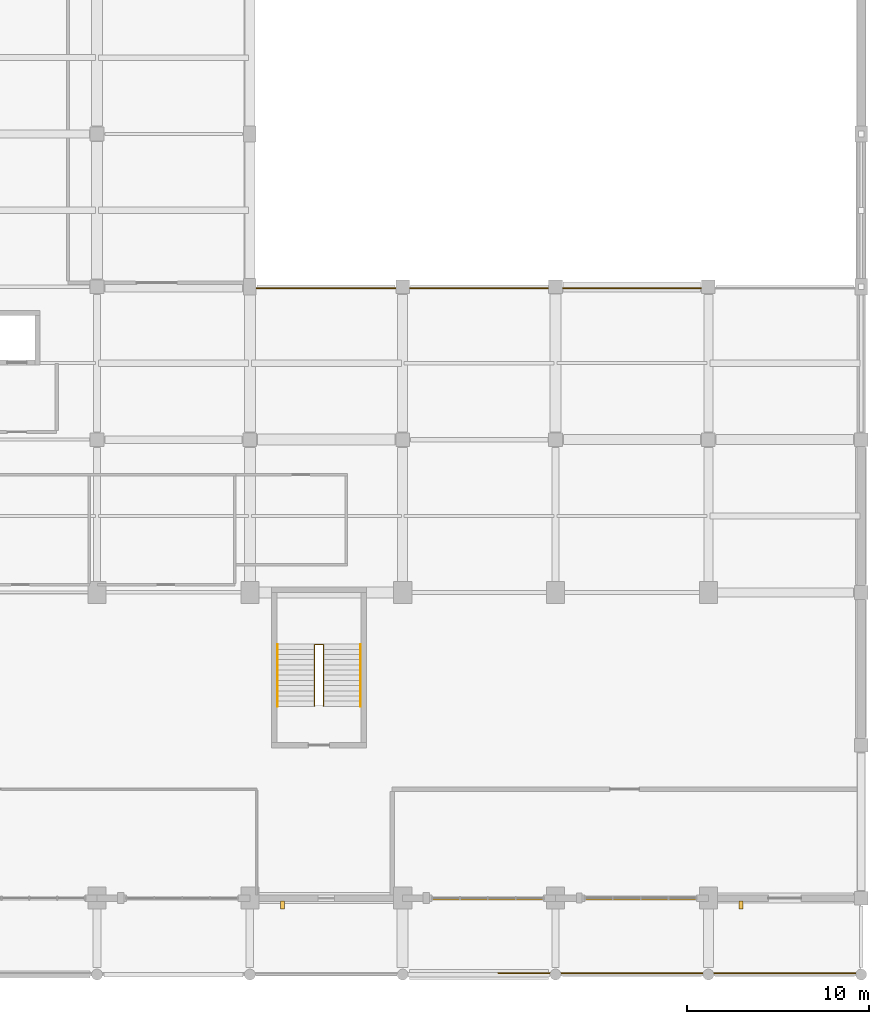
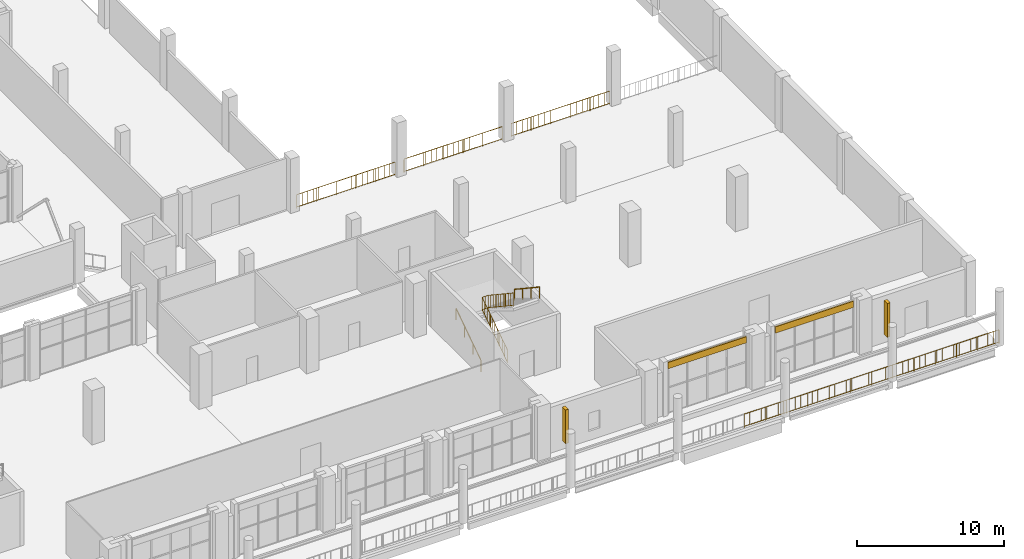
# One storey, part 74 of 75: 7 railings, 2 coverings, 2 shading devices.
"""IFC4 building model written with IfcOpenShell, lengths in metres."""

from ifc_helpers import new_model, si_unit, derived_unit, direction, frame, origin, origin_2d, place, context, subcontext, project, spatial, rectangle, circle, extrude, material, layer, layer_set, type_object, element, save


model = new_model("IFC4")

# Units and contexts
model_context = context("Model", 3, precision=1e-05, world=origin(), true_north=direction((0.0, 1.0)))
body_context = subcontext(model_context, "Body", "Model", "MODEL_VIEW")
ifc_project = project(units=[si_unit("LENGTHUNIT", "METRE"), si_unit("AREAUNIT", "SQUARE_METRE"), si_unit("VOLUMEUNIT", "CUBIC_METRE"), si_unit("PLANEANGLEUNIT", "RADIAN"), si_unit("MASSUNIT", "GRAM", prefix="KILO"), derived_unit("THERMALTRANSMITTANCEUNIT", [(si_unit("POWERUNIT", "WATT"), 1), (si_unit("LENGTHUNIT", "METRE"), -2), (si_unit("THERMODYNAMICTEMPERATUREUNIT", "KELVIN"), -1)])], contexts=[model_context])

# Site, building, storey
site_placement = place(None, origin())
site = spatial("IfcSite", under=ifc_project, at=site_placement, CompositionType="ELEMENT")
building_placement = place(site_placement, origin())
building = spatial("IfcBuilding", under=site, at=building_placement, Name="Barrovel Congress Hotel", CompositionType="ELEMENT")
storey_placement = place(building_placement, frame((0.0, 0.0, 5.39990234375)))
storey = spatial("IfcBuildingStorey", under=building, at=storey_placement, Name="L01", CompositionType="ELEMENT", Elevation=5.39990234375)

# Coverings
ifc_material_1 = material(Name="Glazed Terracotta Spandrel", Category="masonry")
ifc_layer_1 = layer(ifc_material_1, 0.1201171875)
ifc_layer_set_1 = layer_set([ifc_layer_1], Name="Glazed Terracotta Spandrel")
covering_type = type_object("IfcCoveringType", Name="COV-CLAD-TERRA", PredefinedType="CLADDING", material=ifc_layer_set_1)
for number, where, z_axis, x_axis, name in (
    (1, (155.8798828125, 4.14990234375, 3.710205078125), (0.0, 0.0, 1.0), (1.0, 0.0, 0.0), "CLAD:L01:S:18"),
    (2, (164.280029296875, 4.14990234375, 3.710205078125), (0.0, 0.0, 1.0), (1.0, 0.0, 0.0), "CLAD:L01:S:19"),
):
    element("IfcCovering", number, at=place(storey_placement, frame(where, z_axis=z_axis, x_axis=x_axis)), inside=storey, type_object=covering_type, Name=name, PredefinedType="CLADDING", context=body_context, shape_type="SweptSolid", body=[
        extrude(rectangle(XDim=6.1201171875, YDim=0.1201171875, at=origin_2d()), origin(), (0.0, 0.0, 1.0), 0.52001953125),
    ])

# Railings
ifc_material_2 = material(Name="Painted Architectural Steel", Category="steel")
ifc_layer_2 = layer(ifc_material_2, 0.080078125)
ifc_layer_set_2 = layer_set([ifc_layer_2], Name="Painted Architectural Steel")
railing_type_1 = type_object("IfcRailingType", Name="RAIL-GUARD-EXT", PredefinedType="BALUSTRADE", material=ifc_layer_set_2)
railing_1_placement = place(storey_placement, frame((156.449951171875, 0.080078125, 0.0)))
element("IfcRailing", 3, at=railing_1_placement, inside=storey, type_object=railing_type_1, Name="Arcade Promenade Guardrail 8", PredefinedType="BALUSTRADE", context=body_context, shape_type="SweptSolid", body=[
    extrude(circle(Radius=0.02392578125, at=origin_2d()), frame((0.0, 0.0, 1.11572265625), z_axis=(1.0, 0.0, 0.0), x_axis=(0.0, 1.0, 0.0)), (0.0, 0.0, 1.0), 19.949951171875),
    extrude(circle(Radius=0.02392578125, at=origin_2d()), frame((0.0, 0.0, 0.10009765625), z_axis=(1.0, 0.0, 0.0), x_axis=(0.0, 1.0, 0.0)), (0.0, 0.0, 1.0), 19.949951171875),
    extrude(circle(Radius=0.010009765625, at=origin_2d()), frame((0.443359375, 0.0, 0.10009765625)), (0.0, 0.0, 1.0), 0.99169921875),
    extrude(circle(Radius=0.010009765625, at=origin_2d()), frame((0.88671875, 0.0, 0.10009765625)), (0.0, 0.0, 1.0), 0.99169921875),
    extrude(circle(Radius=0.010009765625, at=origin_2d()), frame((1.330078125, 0.0, 0.10009765625)), (0.0, 0.0, 1.0), 0.99169921875),
    extrude(circle(Radius=0.010009765625, at=origin_2d()), frame((1.7734375, 0.0, 0.10009765625)), (0.0, 0.0, 1.0), 0.99169921875),
    extrude(circle(Radius=0.010009765625, at=origin_2d()), frame((2.216552734375, 0.0, 0.10009765625)), (0.0, 0.0, 1.0), 0.99169921875),
    extrude(circle(Radius=0.010009765625, at=origin_2d()), frame((2.659912109375, 0.0, 0.10009765625)), (0.0, 0.0, 1.0), 0.99169921875),
    extrude(circle(Radius=0.010009765625, at=origin_2d()), frame((3.103271484375, 0.0, 0.10009765625)), (0.0, 0.0, 1.0), 0.99169921875),
    extrude(circle(Radius=0.010009765625, at=origin_2d()), frame((3.546630859375, 0.0, 0.10009765625)), (0.0, 0.0, 1.0), 0.99169921875),
    extrude(circle(Radius=0.010009765625, at=origin_2d()), frame((3.989990234375, 0.0, 0.10009765625)), (0.0, 0.0, 1.0), 0.99169921875),
    extrude(circle(Radius=0.010009765625, at=origin_2d()), frame((4.433349609375, 0.0, 0.10009765625)), (0.0, 0.0, 1.0), 0.99169921875),
    extrude(circle(Radius=0.010009765625, at=origin_2d()), frame((4.876708984375, 0.0, 0.10009765625)), (0.0, 0.0, 1.0), 0.99169921875),
    extrude(circle(Radius=0.010009765625, at=origin_2d()), frame((5.320068359375, 0.0, 0.10009765625)), (0.0, 0.0, 1.0), 0.99169921875),
    extrude(circle(Radius=0.010009765625, at=origin_2d()), frame((5.763427734375, 0.0, 0.10009765625)), (0.0, 0.0, 1.0), 0.99169921875),
    extrude(circle(Radius=0.010009765625, at=origin_2d()), frame((6.20654296875, 0.0, 0.10009765625)), (0.0, 0.0, 1.0), 0.99169921875),
    extrude(circle(Radius=0.010009765625, at=origin_2d()), frame((6.64990234375, 0.0, 0.10009765625)), (0.0, 0.0, 1.0), 0.99169921875),
    extrude(circle(Radius=0.010009765625, at=origin_2d()), frame((7.09326171875, 0.0, 0.10009765625)), (0.0, 0.0, 1.0), 0.99169921875),
    extrude(circle(Radius=0.010009765625, at=origin_2d()), frame((7.53662109375, 0.0, 0.10009765625)), (0.0, 0.0, 1.0), 0.99169921875),
    extrude(circle(Radius=0.010009765625, at=origin_2d()), frame((7.97998046875, 0.0, 0.10009765625)), (0.0, 0.0, 1.0), 0.99169921875),
    extrude(circle(Radius=0.010009765625, at=origin_2d()), frame((8.42333984375, 0.0, 0.10009765625)), (0.0, 0.0, 1.0), 0.99169921875),
    extrude(circle(Radius=0.010009765625, at=origin_2d()), frame((8.86669921875, 0.0, 0.10009765625)), (0.0, 0.0, 1.0), 0.99169921875),
    extrude(circle(Radius=0.010009765625, at=origin_2d()), frame((9.31005859375, 0.0, 0.10009765625)), (0.0, 0.0, 1.0), 0.99169921875),
    extrude(circle(Radius=0.010009765625, at=origin_2d()), frame((9.75341796875, 0.0, 0.10009765625)), (0.0, 0.0, 1.0), 0.99169921875),
    extrude(circle(Radius=0.010009765625, at=origin_2d()), frame((10.196533203125, 0.0, 0.10009765625)), (0.0, 0.0, 1.0), 0.99169921875),
    extrude(circle(Radius=0.010009765625, at=origin_2d()), frame((10.639892578125, 0.0, 0.10009765625)), (0.0, 0.0, 1.0), 0.99169921875),
    extrude(circle(Radius=0.010009765625, at=origin_2d()), frame((11.083251953125, 0.0, 0.10009765625)), (0.0, 0.0, 1.0), 0.99169921875),
    extrude(circle(Radius=0.010009765625, at=origin_2d()), frame((11.526611328125, 0.0, 0.10009765625)), (0.0, 0.0, 1.0), 0.99169921875),
    extrude(circle(Radius=0.010009765625, at=origin_2d()), frame((11.969970703125, 0.0, 0.10009765625)), (0.0, 0.0, 1.0), 0.99169921875),
    extrude(circle(Radius=0.010009765625, at=origin_2d()), frame((12.413330078125, 0.0, 0.10009765625)), (0.0, 0.0, 1.0), 0.99169921875),
    extrude(circle(Radius=0.010009765625, at=origin_2d()), frame((12.856689453125, 0.0, 0.10009765625)), (0.0, 0.0, 1.0), 0.99169921875),
    extrude(circle(Radius=0.010009765625, at=origin_2d()), frame((13.300048828125, 0.0, 0.10009765625)), (0.0, 0.0, 1.0), 0.99169921875),
    extrude(circle(Radius=0.010009765625, at=origin_2d()), frame((13.743408203125, 0.0, 0.10009765625)), (0.0, 0.0, 1.0), 0.99169921875),
    extrude(circle(Radius=0.010009765625, at=origin_2d()), frame((14.1865234375, 0.0, 0.10009765625)), (0.0, 0.0, 1.0), 0.99169921875),
    extrude(circle(Radius=0.010009765625, at=origin_2d()), frame((14.6298828125, 0.0, 0.10009765625)), (0.0, 0.0, 1.0), 0.99169921875),
    extrude(circle(Radius=0.010009765625, at=origin_2d()), frame((15.0732421875, 0.0, 0.10009765625)), (0.0, 0.0, 1.0), 0.99169921875),
    extrude(circle(Radius=0.010009765625, at=origin_2d()), frame((15.5166015625, 0.0, 0.10009765625)), (0.0, 0.0, 1.0), 0.99169921875),
    extrude(circle(Radius=0.010009765625, at=origin_2d()), frame((15.9599609375, 0.0, 0.10009765625)), (0.0, 0.0, 1.0), 0.99169921875),
    extrude(circle(Radius=0.010009765625, at=origin_2d()), frame((16.4033203125, 0.0, 0.10009765625)), (0.0, 0.0, 1.0), 0.99169921875),
    extrude(circle(Radius=0.010009765625, at=origin_2d()), frame((16.8466796875, 0.0, 0.10009765625)), (0.0, 0.0, 1.0), 0.99169921875),
    extrude(circle(Radius=0.010009765625, at=origin_2d()), frame((17.2900390625, 0.0, 0.10009765625)), (0.0, 0.0, 1.0), 0.99169921875),
    extrude(circle(Radius=0.010009765625, at=origin_2d()), frame((17.7333984375, 0.0, 0.10009765625)), (0.0, 0.0, 1.0), 0.99169921875),
    extrude(circle(Radius=0.010009765625, at=origin_2d()), frame((18.176513671875, 0.0, 0.10009765625)), (0.0, 0.0, 1.0), 0.99169921875),
    extrude(circle(Radius=0.010009765625, at=origin_2d()), frame((18.619873046875, 0.0, 0.10009765625)), (0.0, 0.0, 1.0), 0.99169921875),
    extrude(circle(Radius=0.010009765625, at=origin_2d()), frame((19.063232421875, 0.0, 0.10009765625)), (0.0, 0.0, 1.0), 0.99169921875),
    extrude(circle(Radius=0.010009765625, at=origin_2d()), frame((19.506591796875, 0.0, 0.10009765625)), (0.0, 0.0, 1.0), 0.99169921875),
    extrude(circle(Radius=0.02099609375, at=origin_2d()), origin(), (0.0, 0.0, 1.0), 1.091796875),
    extrude(circle(Radius=0.02099609375, at=origin_2d()), frame((1.66259765625, 0.0, 0.0)), (0.0, 0.0, 1.0), 1.091796875),
    extrude(circle(Radius=0.02099609375, at=origin_2d()), frame((3.324951171875, 0.0, 0.0)), (0.0, 0.0, 1.0), 1.091796875),
    extrude(circle(Radius=0.02099609375, at=origin_2d()), frame((4.987548828125, 0.0, 0.0)), (0.0, 0.0, 1.0), 1.091796875),
    extrude(circle(Radius=0.02099609375, at=origin_2d()), frame((6.64990234375, 0.0, 0.0)), (0.0, 0.0, 1.0), 1.091796875),
    extrude(circle(Radius=0.02099609375, at=origin_2d()), frame((8.3125, 0.0, 0.0)), (0.0, 0.0, 1.0), 1.091796875),
    extrude(circle(Radius=0.02099609375, at=origin_2d()), frame((9.97509765625, 0.0, 0.0)), (0.0, 0.0, 1.0), 1.091796875),
    extrude(circle(Radius=0.02099609375, at=origin_2d()), frame((11.637451171875, 0.0, 0.0)), (0.0, 0.0, 1.0), 1.091796875),
    extrude(circle(Radius=0.02099609375, at=origin_2d()), frame((13.300048828125, 0.0, 0.0)), (0.0, 0.0, 1.0), 1.091796875),
    extrude(circle(Radius=0.02099609375, at=origin_2d()), frame((14.96240234375, 0.0, 0.0)), (0.0, 0.0, 1.0), 1.091796875),
    extrude(circle(Radius=0.02099609375, at=origin_2d()), frame((16.625, 0.0, 0.0)), (0.0, 0.0, 1.0), 1.091796875),
    extrude(circle(Radius=0.02099609375, at=origin_2d()), frame((18.287353515625, 0.0, 0.0)), (0.0, 0.0, 1.0), 1.091796875),
    extrude(circle(Radius=0.02099609375, at=origin_2d()), frame((19.949951171875, 0.0, 0.0)), (0.0, 0.0, 1.0), 1.091796875),
])
ifc_layer_3 = layer(ifc_material_2, 0.070068359375)
ifc_layer_set_3 = layer_set([ifc_layer_3], Name="Painted Architectural Steel")
railing_type_2 = type_object("IfcRailingType", Name="RAIL-GUARD-INT", PredefinedType="BALUSTRADE", material=ifc_layer_set_3)
railing_2_placement = place(storey_placement, frame((146.360107421875, 14.739990234375, 0.0)))
element("IfcRailing", 4, at=railing_2_placement, inside=storey, type_object=railing_type_2, Name="STAIR:XS-04:L01:GR-W", PredefinedType="BALUSTRADE", context=body_context, shape_type="SweptSolid", body=[
    extrude(circle(Radius=0.02392578125, at=origin_2d()), frame((0.0, 0.0, 1.11572265625), z_axis=(0.0, 0.833174834292, 0.553009670352), x_axis=(-1.0, 0.0, 0.0)), (0.0, 0.0, 1.0), 4.068603515625),
    extrude(circle(Radius=0.02392578125, at=origin_2d()), frame((0.0, 0.0, 0.10009765625), z_axis=(0.0, 0.833174834292, 0.553009670352), x_axis=(-1.0, 0.0, 0.0)), (0.0, 0.0, 1.0), 4.068603515625),
    extrude(circle(Radius=0.010009765625, at=origin_2d()), frame((0.0, 0.3388671875, 0.324951171875)), (0.0, 0.0, 1.0), 0.99169921875),
    extrude(circle(Radius=0.010009765625, at=origin_2d()), frame((0.0, 0.677978515625, 0.550048828125)), (0.0, 0.0, 1.0), 0.99169921875),
    extrude(circle(Radius=0.010009765625, at=origin_2d()), frame((0.0, 1.01708984375, 0.77490234375)), (0.0, 0.0, 1.0), 0.99169921875),
    extrude(circle(Radius=0.010009765625, at=origin_2d()), frame((0.0, 1.35595703125, 1.0)), (0.0, 0.0, 1.0), 0.99169921875),
    extrude(circle(Radius=0.010009765625, at=origin_2d()), frame((0.0, 1.69482421875, 1.22509765625)), (0.0, 0.0, 1.0), 0.99169921875),
    extrude(circle(Radius=0.010009765625, at=origin_2d()), frame((0.0, 2.033935546875, 1.449951171875)), (0.0, 0.0, 1.0), 0.99169921875),
    extrude(circle(Radius=0.010009765625, at=origin_2d()), frame((0.0, 2.373046875, 1.675048828125)), (0.0, 0.0, 1.0), 0.99169921875),
    extrude(circle(Radius=0.010009765625, at=origin_2d()), frame((0.0, 2.7119140625, 1.89990234375)), (0.0, 0.0, 1.0), 0.99169921875),
    extrude(circle(Radius=0.010009765625, at=origin_2d()), frame((0.0, 3.05078125, 2.125)), (0.0, 0.0, 1.0), 0.99169921875),
    extrude(circle(Radius=0.02392578125, at=origin_2d()), frame((0.0, 3.389892578125, 3.36572265625), z_axis=(1.0, 0.0, 0.0), x_axis=(0.0, 1.0, 0.0)), (0.0, 0.0, 1.0), 0.47998046875),
    extrude(circle(Radius=0.02392578125, at=origin_2d()), frame((0.0, 3.389892578125, 2.35009765625), z_axis=(1.0, 0.0, 0.0), x_axis=(0.0, 1.0, 0.0)), (0.0, 0.0, 1.0), 0.47998046875),
    extrude(circle(Radius=0.010009765625, at=origin_2d()), frame((0.239990234375, 3.389892578125, 2.35009765625)), (0.0, 0.0, 1.0), 0.99169921875),
    extrude(circle(Radius=0.02392578125, at=origin_2d()), frame((0.47998046875, 3.389892578125, 3.36572265625), z_axis=(0.0, -0.833174834292, 0.553009670352), x_axis=(1.0, 0.0, 0.0)), (0.0, 0.0, 1.0), 4.068603515625),
    extrude(circle(Radius=0.02392578125, at=origin_2d()), frame((0.47998046875, 3.389892578125, 2.35009765625), z_axis=(0.0, -0.833174834292, 0.553009670352), x_axis=(1.0, 0.0, 0.0)), (0.0, 0.0, 1.0), 4.068603515625),
    extrude(circle(Radius=0.010009765625, at=origin_2d()), frame((0.47998046875, 3.05078125, 2.574951171875)), (0.0, 0.0, 1.0), 0.99169921875),
    extrude(circle(Radius=0.010009765625, at=origin_2d()), frame((0.47998046875, 2.7119140625, 2.800048828125)), (0.0, 0.0, 1.0), 0.99169921875),
    extrude(circle(Radius=0.010009765625, at=origin_2d()), frame((0.47998046875, 2.373046875, 3.02490234375)), (0.0, 0.0, 1.0), 0.99169921875),
    extrude(circle(Radius=0.010009765625, at=origin_2d()), frame((0.47998046875, 2.033935546875, 3.25)), (0.0, 0.0, 1.0), 0.99169921875),
    extrude(circle(Radius=0.010009765625, at=origin_2d()), frame((0.47998046875, 1.69482421875, 3.47509765625)), (0.0, 0.0, 1.0), 0.99169921875),
    extrude(circle(Radius=0.010009765625, at=origin_2d()), frame((0.47998046875, 1.35595703125, 3.699951171875)), (0.0, 0.0, 1.0), 0.99169921875),
    extrude(circle(Radius=0.010009765625, at=origin_2d()), frame((0.47998046875, 1.01708984375, 3.925048828125)), (0.0, 0.0, 1.0), 0.99169921875),
    extrude(circle(Radius=0.010009765625, at=origin_2d()), frame((0.47998046875, 0.677978515625, 4.14990234375)), (0.0, 0.0, 1.0), 0.99169921875),
    extrude(circle(Radius=0.010009765625, at=origin_2d()), frame((0.47998046875, 0.3388671875, 4.375)), (0.0, 0.0, 1.0), 0.99169921875),
    extrude(circle(Radius=0.02099609375, at=origin_2d()), origin(), (0.0, 0.0, 1.0), 1.091796875),
    extrude(circle(Radius=0.02099609375, at=origin_2d()), frame((0.0, 1.1298828125, 0.75)), (0.0, 0.0, 1.0), 1.091796875),
    extrude(circle(Radius=0.02099609375, at=origin_2d()), frame((0.0, 2.260009765625, 1.5)), (0.0, 0.0, 1.0), 1.091796875),
    extrude(circle(Radius=0.02099609375, at=origin_2d()), frame((0.0, 3.389892578125, 2.25)), (0.0, 0.0, 1.0), 1.091796875),
    extrude(circle(Radius=0.02099609375, at=origin_2d()), frame((0.47998046875, 3.389892578125, 2.25)), (0.0, 0.0, 1.0), 1.091796875),
    extrude(circle(Radius=0.02099609375, at=origin_2d()), frame((0.47998046875, 2.260009765625, 3.0)), (0.0, 0.0, 1.0), 1.091796875),
    extrude(circle(Radius=0.02099609375, at=origin_2d()), frame((0.47998046875, 1.1298828125, 3.75)), (0.0, 0.0, 1.0), 1.091796875),
    extrude(circle(Radius=0.02099609375, at=origin_2d()), frame((0.47998046875, 0.0, 4.5)), (0.0, 0.0, 1.0), 1.091796875),
])
railing_3_placement = place(storey_placement, frame((143.14990234375, 37.719970703125, 0.0)))
element("IfcRailing", 5, at=railing_3_placement, inside=storey, type_object=railing_type_2, Name="RAIL:L01:V45-1", PredefinedType="BALUSTRADE", context=body_context, shape_type="SweptSolid", body=[
    extrude(circle(Radius=0.02392578125, at=origin_2d()), frame((0.0, 0.0, 1.11572265625), z_axis=(1.0, 0.0, 0.0), x_axis=(0.0, 1.0, 0.0)), (0.0, 0.0, 1.0), 7.7001953125),
    extrude(circle(Radius=0.02392578125, at=origin_2d()), frame((0.0, 0.0, 0.10009765625), z_axis=(1.0, 0.0, 0.0), x_axis=(0.0, 1.0, 0.0)), (0.0, 0.0, 1.0), 7.7001953125),
    extrude(circle(Radius=0.010009765625, at=origin_2d()), frame((0.427734375, 0.0, 0.10009765625)), (0.0, 0.0, 1.0), 0.99169921875),
    extrude(circle(Radius=0.010009765625, at=origin_2d()), frame((0.85546875, 0.0, 0.10009765625)), (0.0, 0.0, 1.0), 0.99169921875),
    extrude(circle(Radius=0.010009765625, at=origin_2d()), frame((1.283447265625, 0.0, 0.10009765625)), (0.0, 0.0, 1.0), 0.99169921875),
    extrude(circle(Radius=0.010009765625, at=origin_2d()), frame((1.711181640625, 0.0, 0.10009765625)), (0.0, 0.0, 1.0), 0.99169921875),
    extrude(circle(Radius=0.010009765625, at=origin_2d()), frame((2.138916015625, 0.0, 0.10009765625)), (0.0, 0.0, 1.0), 0.99169921875),
    extrude(circle(Radius=0.010009765625, at=origin_2d()), frame((2.566650390625, 0.0, 0.10009765625)), (0.0, 0.0, 1.0), 0.99169921875),
    extrude(circle(Radius=0.010009765625, at=origin_2d()), frame((2.99462890625, 0.0, 0.10009765625)), (0.0, 0.0, 1.0), 0.99169921875),
    extrude(circle(Radius=0.010009765625, at=origin_2d()), frame((3.42236328125, 0.0, 0.10009765625)), (0.0, 0.0, 1.0), 0.99169921875),
    extrude(circle(Radius=0.010009765625, at=origin_2d()), frame((3.85009765625, 0.0, 0.10009765625)), (0.0, 0.0, 1.0), 0.99169921875),
    extrude(circle(Radius=0.010009765625, at=origin_2d()), frame((4.27783203125, 0.0, 0.10009765625)), (0.0, 0.0, 1.0), 0.99169921875),
    extrude(circle(Radius=0.010009765625, at=origin_2d()), frame((4.70556640625, 0.0, 0.10009765625)), (0.0, 0.0, 1.0), 0.99169921875),
    extrude(circle(Radius=0.010009765625, at=origin_2d()), frame((5.133544921875, 0.0, 0.10009765625)), (0.0, 0.0, 1.0), 0.99169921875),
    extrude(circle(Radius=0.010009765625, at=origin_2d()), frame((5.561279296875, 0.0, 0.10009765625)), (0.0, 0.0, 1.0), 0.99169921875),
    extrude(circle(Radius=0.010009765625, at=origin_2d()), frame((5.989013671875, 0.0, 0.10009765625)), (0.0, 0.0, 1.0), 0.99169921875),
    extrude(circle(Radius=0.010009765625, at=origin_2d()), frame((6.416748046875, 0.0, 0.10009765625)), (0.0, 0.0, 1.0), 0.99169921875),
    extrude(circle(Radius=0.010009765625, at=origin_2d()), frame((6.8447265625, 0.0, 0.10009765625)), (0.0, 0.0, 1.0), 0.99169921875),
    extrude(circle(Radius=0.010009765625, at=origin_2d()), frame((7.2724609375, 0.0, 0.10009765625)), (0.0, 0.0, 1.0), 0.99169921875),
    extrude(circle(Radius=0.02099609375, at=origin_2d()), origin(), (0.0, 0.0, 1.0), 1.091796875),
    extrude(circle(Radius=0.02099609375, at=origin_2d()), frame((1.5400390625, 0.0, 0.0)), (0.0, 0.0, 1.0), 1.091796875),
    extrude(circle(Radius=0.02099609375, at=origin_2d()), frame((3.080078125, 0.0, 0.0)), (0.0, 0.0, 1.0), 1.091796875),
    extrude(circle(Radius=0.02099609375, at=origin_2d()), frame((4.6201171875, 0.0, 0.0)), (0.0, 0.0, 1.0), 1.091796875),
    extrude(circle(Radius=0.02099609375, at=origin_2d()), frame((6.16015625, 0.0, 0.0)), (0.0, 0.0, 1.0), 1.091796875),
    extrude(circle(Radius=0.02099609375, at=origin_2d()), frame((7.7001953125, 0.0, 0.0)), (0.0, 0.0, 1.0), 1.091796875),
])
railing_4_placement = place(storey_placement, frame((151.550048828125, 37.719970703125, 0.0)))
element("IfcRailing", 6, at=railing_4_placement, inside=storey, type_object=railing_type_2, Name="RAIL:L01:V45-2", PredefinedType="BALUSTRADE", context=body_context, shape_type="SweptSolid", body=[
    extrude(circle(Radius=0.02392578125, at=origin_2d()), frame((0.0, 0.0, 1.11572265625), z_axis=(1.0, 0.0, 0.0), x_axis=(0.0, 1.0, 0.0)), (0.0, 0.0, 1.0), 7.699951171875),
    extrude(circle(Radius=0.02392578125, at=origin_2d()), frame((0.0, 0.0, 0.10009765625), z_axis=(1.0, 0.0, 0.0), x_axis=(0.0, 1.0, 0.0)), (0.0, 0.0, 1.0), 7.699951171875),
    extrude(circle(Radius=0.010009765625, at=origin_2d()), frame((0.427734375, 0.0, 0.10009765625)), (0.0, 0.0, 1.0), 0.99169921875),
    extrude(circle(Radius=0.010009765625, at=origin_2d()), frame((0.85546875, 0.0, 0.10009765625)), (0.0, 0.0, 1.0), 0.99169921875),
    extrude(circle(Radius=0.010009765625, at=origin_2d()), frame((1.283203125, 0.0, 0.10009765625)), (0.0, 0.0, 1.0), 0.99169921875),
    extrude(circle(Radius=0.010009765625, at=origin_2d()), frame((1.711181640625, 0.0, 0.10009765625)), (0.0, 0.0, 1.0), 0.99169921875),
    extrude(circle(Radius=0.010009765625, at=origin_2d()), frame((2.138916015625, 0.0, 0.10009765625)), (0.0, 0.0, 1.0), 0.99169921875),
    extrude(circle(Radius=0.010009765625, at=origin_2d()), frame((2.566650390625, 0.0, 0.10009765625)), (0.0, 0.0, 1.0), 0.99169921875),
    extrude(circle(Radius=0.010009765625, at=origin_2d()), frame((2.994384765625, 0.0, 0.10009765625)), (0.0, 0.0, 1.0), 0.99169921875),
    extrude(circle(Radius=0.010009765625, at=origin_2d()), frame((3.422119140625, 0.0, 0.10009765625)), (0.0, 0.0, 1.0), 0.99169921875),
    extrude(circle(Radius=0.010009765625, at=origin_2d()), frame((3.85009765625, 0.0, 0.10009765625)), (0.0, 0.0, 1.0), 0.99169921875),
    extrude(circle(Radius=0.010009765625, at=origin_2d()), frame((4.27783203125, 0.0, 0.10009765625)), (0.0, 0.0, 1.0), 0.99169921875),
    extrude(circle(Radius=0.010009765625, at=origin_2d()), frame((4.70556640625, 0.0, 0.10009765625)), (0.0, 0.0, 1.0), 0.99169921875),
    extrude(circle(Radius=0.010009765625, at=origin_2d()), frame((5.13330078125, 0.0, 0.10009765625)), (0.0, 0.0, 1.0), 0.99169921875),
    extrude(circle(Radius=0.010009765625, at=origin_2d()), frame((5.56103515625, 0.0, 0.10009765625)), (0.0, 0.0, 1.0), 0.99169921875),
    extrude(circle(Radius=0.010009765625, at=origin_2d()), frame((5.98876953125, 0.0, 0.10009765625)), (0.0, 0.0, 1.0), 0.99169921875),
    extrude(circle(Radius=0.010009765625, at=origin_2d()), frame((6.41650390625, 0.0, 0.10009765625)), (0.0, 0.0, 1.0), 0.99169921875),
    extrude(circle(Radius=0.010009765625, at=origin_2d()), frame((6.844482421875, 0.0, 0.10009765625)), (0.0, 0.0, 1.0), 0.99169921875),
    extrude(circle(Radius=0.010009765625, at=origin_2d()), frame((7.272216796875, 0.0, 0.10009765625)), (0.0, 0.0, 1.0), 0.99169921875),
    extrude(circle(Radius=0.02099609375, at=origin_2d()), origin(), (0.0, 0.0, 1.0), 1.091796875),
    extrude(circle(Radius=0.02099609375, at=origin_2d()), frame((1.5400390625, 0.0, 0.0)), (0.0, 0.0, 1.0), 1.091796875),
    extrude(circle(Radius=0.02099609375, at=origin_2d()), frame((3.080078125, 0.0, 0.0)), (0.0, 0.0, 1.0), 1.091796875),
    extrude(circle(Radius=0.02099609375, at=origin_2d()), frame((4.619873046875, 0.0, 0.0)), (0.0, 0.0, 1.0), 1.091796875),
    extrude(circle(Radius=0.02099609375, at=origin_2d()), frame((6.159912109375, 0.0, 0.0)), (0.0, 0.0, 1.0), 1.091796875),
    extrude(circle(Radius=0.02099609375, at=origin_2d()), frame((7.699951171875, 0.0, 0.0)), (0.0, 0.0, 1.0), 1.091796875),
])
railing_5_placement = place(storey_placement, frame((159.949951171875, 37.719970703125, 0.0)))
element("IfcRailing", 7, at=railing_5_placement, inside=storey, type_object=railing_type_2, Name="RAIL:L01:V45-3", PredefinedType="BALUSTRADE", context=body_context, shape_type="SweptSolid", body=[
    extrude(circle(Radius=0.02392578125, at=origin_2d()), frame((0.0, 0.0, 1.11572265625), z_axis=(1.0, 0.0, 0.0), x_axis=(0.0, 1.0, 0.0)), (0.0, 0.0, 1.0), 7.699951171875),
    extrude(circle(Radius=0.02392578125, at=origin_2d()), frame((0.0, 0.0, 0.10009765625), z_axis=(1.0, 0.0, 0.0), x_axis=(0.0, 1.0, 0.0)), (0.0, 0.0, 1.0), 7.699951171875),
    extrude(circle(Radius=0.010009765625, at=origin_2d()), frame((0.427734375, 0.0, 0.10009765625)), (0.0, 0.0, 1.0), 0.99169921875),
    extrude(circle(Radius=0.010009765625, at=origin_2d()), frame((0.85546875, 0.0, 0.10009765625)), (0.0, 0.0, 1.0), 0.99169921875),
    extrude(circle(Radius=0.010009765625, at=origin_2d()), frame((1.283203125, 0.0, 0.10009765625)), (0.0, 0.0, 1.0), 0.99169921875),
    extrude(circle(Radius=0.010009765625, at=origin_2d()), frame((1.711181640625, 0.0, 0.10009765625)), (0.0, 0.0, 1.0), 0.99169921875),
    extrude(circle(Radius=0.010009765625, at=origin_2d()), frame((2.138916015625, 0.0, 0.10009765625)), (0.0, 0.0, 1.0), 0.99169921875),
    extrude(circle(Radius=0.010009765625, at=origin_2d()), frame((2.566650390625, 0.0, 0.10009765625)), (0.0, 0.0, 1.0), 0.99169921875),
    extrude(circle(Radius=0.010009765625, at=origin_2d()), frame((2.994384765625, 0.0, 0.10009765625)), (0.0, 0.0, 1.0), 0.99169921875),
    extrude(circle(Radius=0.010009765625, at=origin_2d()), frame((3.422119140625, 0.0, 0.10009765625)), (0.0, 0.0, 1.0), 0.99169921875),
    extrude(circle(Radius=0.010009765625, at=origin_2d()), frame((3.85009765625, 0.0, 0.10009765625)), (0.0, 0.0, 1.0), 0.99169921875),
    extrude(circle(Radius=0.010009765625, at=origin_2d()), frame((4.27783203125, 0.0, 0.10009765625)), (0.0, 0.0, 1.0), 0.99169921875),
    extrude(circle(Radius=0.010009765625, at=origin_2d()), frame((4.70556640625, 0.0, 0.10009765625)), (0.0, 0.0, 1.0), 0.99169921875),
    extrude(circle(Radius=0.010009765625, at=origin_2d()), frame((5.13330078125, 0.0, 0.10009765625)), (0.0, 0.0, 1.0), 0.99169921875),
    extrude(circle(Radius=0.010009765625, at=origin_2d()), frame((5.56103515625, 0.0, 0.10009765625)), (0.0, 0.0, 1.0), 0.99169921875),
    extrude(circle(Radius=0.010009765625, at=origin_2d()), frame((5.98876953125, 0.0, 0.10009765625)), (0.0, 0.0, 1.0), 0.99169921875),
    extrude(circle(Radius=0.010009765625, at=origin_2d()), frame((6.41650390625, 0.0, 0.10009765625)), (0.0, 0.0, 1.0), 0.99169921875),
    extrude(circle(Radius=0.010009765625, at=origin_2d()), frame((6.844482421875, 0.0, 0.10009765625)), (0.0, 0.0, 1.0), 0.99169921875),
    extrude(circle(Radius=0.010009765625, at=origin_2d()), frame((7.272216796875, 0.0, 0.10009765625)), (0.0, 0.0, 1.0), 0.99169921875),
    extrude(circle(Radius=0.02099609375, at=origin_2d()), origin(), (0.0, 0.0, 1.0), 1.091796875),
    extrude(circle(Radius=0.02099609375, at=origin_2d()), frame((1.5400390625, 0.0, 0.0)), (0.0, 0.0, 1.0), 1.091796875),
    extrude(circle(Radius=0.02099609375, at=origin_2d()), frame((3.080078125, 0.0, 0.0)), (0.0, 0.0, 1.0), 1.091796875),
    extrude(circle(Radius=0.02099609375, at=origin_2d()), frame((4.619873046875, 0.0, 0.0)), (0.0, 0.0, 1.0), 1.091796875),
    extrude(circle(Radius=0.02099609375, at=origin_2d()), frame((6.159912109375, 0.0, 0.0)), (0.0, 0.0, 1.0), 1.091796875),
    extrude(circle(Radius=0.02099609375, at=origin_2d()), frame((7.699951171875, 0.0, 0.0)), (0.0, 0.0, 1.0), 1.091796875),
])
ifc_material_3 = material(Name="Brushed Stainless Steel", Category="steel")
ifc_layer_4 = layer(ifc_material_3, 0.050048828125)
ifc_layer_set_4 = layer_set([ifc_layer_4], Name="Brushed Stainless Steel")
railing_type_3 = type_object("IfcRailingType", Name="RAIL-HAND", PredefinedType="HANDRAIL", material=ifc_layer_set_4)
railing_6_placement = place(storey_placement, frame((144.320068359375, 14.739990234375, 0.0)))
element("IfcRailing", 8, at=railing_6_placement, inside=storey, type_object=railing_type_3, Name="STAIR:XS-04:L01:HR-1", PredefinedType="HANDRAIL", context=body_context, shape_type="SweptSolid", body=[
    extrude(circle(Radius=0.02392578125, at=origin_2d()), frame((0.0, 0.0, 0.89599609375), z_axis=(0.0, 0.833174834292, 0.553009670352), x_axis=(-1.0, 0.0, 0.0)), (0.0, 0.0, 1.0), 4.068603515625),
    extrude(circle(Radius=0.02099609375, at=origin_2d()), origin(), (0.0, 0.0, 1.0), 0.871826171875),
    extrude(circle(Radius=0.02099609375, at=origin_2d()), frame((0.0, 1.1298828125, 0.75)), (0.0, 0.0, 1.0), 0.871826171875),
    extrude(circle(Radius=0.02099609375, at=origin_2d()), frame((0.0, 2.260009765625, 1.5)), (0.0, 0.0, 1.0), 0.871826171875),
    extrude(circle(Radius=0.02099609375, at=origin_2d()), frame((0.0, 3.389892578125, 2.25)), (0.0, 0.0, 1.0), 0.871826171875),
])
railing_7_placement = place(storey_placement, frame((148.8798828125, 18.1298828125, 2.25)))
element("IfcRailing", 9, at=railing_7_placement, inside=storey, type_object=railing_type_3, Name="STAIR:XS-04:L01:HR-2", PredefinedType="HANDRAIL", context=body_context, shape_type="SweptSolid", body=[
    extrude(circle(Radius=0.02392578125, at=origin_2d()), frame((0.0, 0.0, 0.89599609375), z_axis=(0.0, -0.833174834292, 0.553009670352), x_axis=(1.0, 0.0, 0.0)), (0.0, 0.0, 1.0), 4.068603515625),
    extrude(circle(Radius=0.02099609375, at=origin_2d()), origin(), (0.0, 0.0, 1.0), 0.871826171875),
    extrude(circle(Radius=0.02099609375, at=origin_2d()), frame((0.0, -1.1298828125, 0.75)), (0.0, 0.0, 1.0), 0.871826171875),
    extrude(circle(Radius=0.02099609375, at=origin_2d()), frame((0.0, -2.260009765625, 1.5)), (0.0, 0.0, 1.0), 0.871826171875),
    extrude(circle(Radius=0.02099609375, at=origin_2d()), frame((0.0, -3.389892578125, 2.25)), (0.0, 0.0, 1.0), 0.871826171875),
])

# Shading devices
ifc_material_4 = material(Name="Fired Clay Brick Masonry", Category="masonry")
shading_device_type = type_object("IfcShadingDeviceType", Name="SHD-FIN", PredefinedType="USERDEFINED", material=ifc_material_4)
for number, where, z_axis, x_axis, name in (
    (10, (144.60009765625, 3.820068359375, 0.7001953125), (0.0, 0.0, 1.0), (1.0, 0.0, 0.0), "FIN:L01:S:17"),
    (11, (169.800048828125, 3.820068359375, 0.7001953125), (0.0, 0.0, 1.0), (1.0, 0.0, 0.0), "FIN:L01:S:20"),
):
    element("IfcShadingDevice", number, at=place(storey_placement, frame(where, z_axis=z_axis, x_axis=x_axis)), inside=storey, type_object=shading_device_type, Name=name, ObjectType="SOLAR FIN", PredefinedType="USERDEFINED", context=body_context, shape_type="SweptSolid", body=[
        extrude(rectangle(XDim=0.219970703125, YDim=0.449951171875, at=origin_2d()), origin(), (0.0, 0.0, 1.0), 2.800048828125),
    ])

save(model, "model.ifc")
